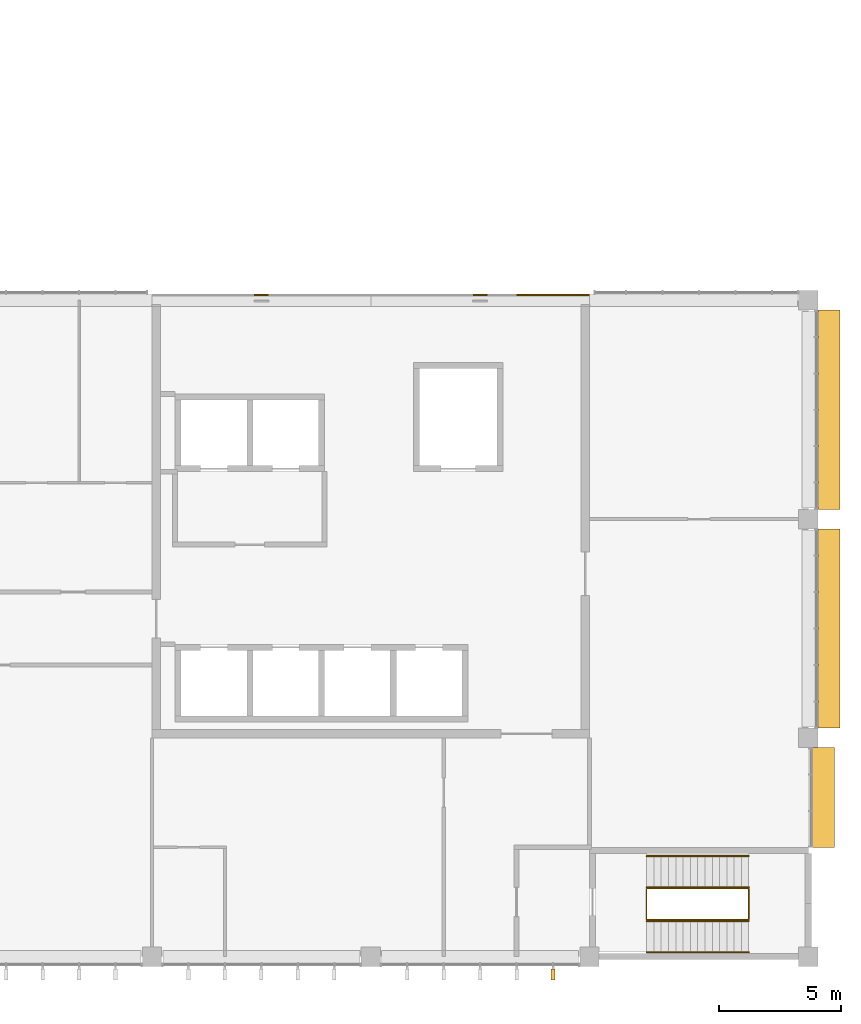
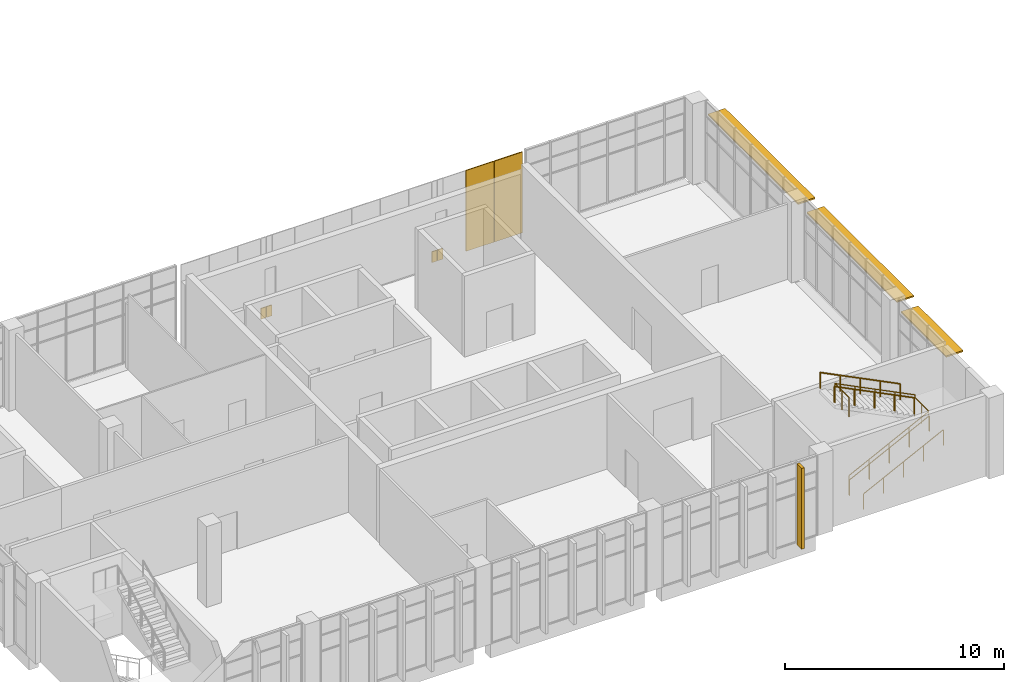
# One storey, part 40 of 40: 6 coverings, 5 railings, 4 shading devices.
"""IFC4 building model written with IfcOpenShell, lengths in metres."""

from ifc_helpers import new_model, si_unit, direction, frame, origin, origin_2d, place, context, subcontext, project, spatial, rectangle, circle, extrude, material, layer, layer_set, type_object, element, save


model = new_model("IFC4")

# Units and contexts
model_context = context("Model", 3, precision=1e-05, world=origin(), true_north=direction((0.0, 1.0)))
body_context = subcontext(model_context, "Body", "Model", "MODEL_VIEW")
ifc_project = project(units=[si_unit("LENGTHUNIT", "METRE"), si_unit("AREAUNIT", "SQUARE_METRE"), si_unit("VOLUMEUNIT", "CUBIC_METRE"), si_unit("PLANEANGLEUNIT", "RADIAN"), si_unit("MASSUNIT", "GRAM", prefix="KILO")], contexts=[model_context])

# Site, building, storey
site_placement = place(None, origin())
site = spatial("IfcSite", under=ifc_project, at=site_placement, CompositionType="ELEMENT")
building_placement = place(site_placement, origin())
building = spatial("IfcBuilding", under=site, at=building_placement, Name="Guidao Yard Department Store", CompositionType="ELEMENT")
storey_placement = place(building_placement, frame((0.0, 0.0, 24.0)))
storey = spatial("IfcBuildingStorey", under=building, at=storey_placement, Name="L05", CompositionType="ELEMENT", Elevation=24.0)

# Coverings
ifc_material_1 = material(Name="Anodised aluminium 6063-T5 cladding", Category="aluminium")
ifc_layer_1 = layer(ifc_material_1, 0.050048828125)
ifc_layer_set_1 = layer_set([ifc_layer_1], Name="Facade cladding CP1 anodised aluminium panel 6063")
covering_type = type_object("IfcCoveringType", Name="Facade cladding CP1 anodised aluminium panel 6063", PredefinedType="CLADDING", material=ifc_layer_set_1)
for number, where, z_axis, x_axis, name in (
    (1, (148.35009765625, 27.22509765625, 0.0), (0.0, 0.0, 1.0), (1.0, 0.0, 0.0), "Core face cladding"),
    (2, (148.64990234375, 27.22509765625, 0.0), (0.0, 0.0, 1.0), (1.0, 0.0, 0.0), "Core face cladding"),
    (3, (157.35009765625, 27.22509765625, 0.0), (0.0, 0.0, 1.0), (1.0, 0.0, 0.0), "Core face cladding"),
    (4, (157.64990234375, 27.22509765625, 0.0), (0.0, 0.0, 1.0), (1.0, 0.0, 0.0), "Core face cladding"),
):
    element("IfcCovering", number, at=place(storey_placement, frame(where, z_axis=z_axis, x_axis=x_axis)), inside=storey, type_object=covering_type, Name=name, PredefinedType="CLADDING", context=body_context, shape_type="SweptSolid", body=[
        extrude(rectangle(XDim=0.280029296875, YDim=0.050048828125, at=origin_2d()), origin(), (0.0, 0.0, 1.0), 0.60009765625),
    ])
for number, where, z_axis, x_axis, name in (
    (5, (159.75, 27.22509765625, 0.0), (0.0, 0.0, 1.0), (1.0, 0.0, 0.0), "Core face cladding"),
    (6, (161.25, 27.22509765625, 0.0), (0.0, 0.0, 1.0), (1.0, 0.0, 0.0), "Core face cladding"),
):
    element("IfcCovering", number, at=place(storey_placement, frame(where, z_axis=z_axis, x_axis=x_axis)), inside=storey, type_object=covering_type, Name=name, PredefinedType="CLADDING", context=body_context, shape_type="SweptSolid", body=[
        extrude(rectangle(XDim=1.47998046875, YDim=0.050048828125, at=origin_2d()), origin(), (0.0, 0.0, 1.0), 4.5),
    ])

# Railings
ifc_material_2 = material(Name="Steel Q235", Category="steel")
railing_type_1 = type_object("IfcRailingType", Name="Guard steel balustrade 1100", PredefinedType="GUARDRAIL", material=ifc_material_2)
railing_placement = place(storey_placement, frame((164.35009765625, 1.52490234375, 0.14990234375)))
element("IfcRailing", 7, at=railing_placement, inside=storey, type_object=railing_type_1, Name="Stair O2 guard L05 9", PredefinedType="GUARDRAIL", context=body_context, shape_type="SweptSolid", body=[
    extrude(circle(Radius=0.02392578125, at=origin_2d()), frame((0.0, 0.0, 1.076171875), z_axis=(0.894416792377, 0.0, 0.447234392142), x_axis=(0.0, 1.0, 0.0)), (0.0, 0.0, 1.0), 4.69580078125),
    extrude(circle(Radius=0.02392578125, at=origin_2d()), frame((4.199951171875, 0.0, 3.17626953125), z_axis=(0.0, 1.0, 0.0), x_axis=(-1.0, 0.0, 0.0)), (0.0, 0.0, 1.0), 1.275146484375),
    extrude(circle(Radius=0.02392578125, at=origin_2d()), frame((4.199951171875, 1.275146484375, 3.17626953125), z_axis=(0.0, 0.0, 1.0), x_axis=(1.0, 0.0, 0.0)), (0.0, 0.0, 1.0), 0.14990234375),
    extrude(circle(Radius=0.02392578125, at=origin_2d()), frame((4.199951171875, 1.275146484375, 3.326171875), z_axis=(-0.894416792377, 0.0, 0.447234392142), x_axis=(0.0, -1.0, 0.0)), (0.0, 0.0, 1.0), 4.69580078125),
    extrude(circle(Radius=0.02392578125, at=origin_2d()), frame((0.0, 1.275146484375, 5.42626953125), z_axis=(0.0, -1.0, 0.0), x_axis=(1.0, 0.0, 0.0)), (0.0, 0.0, 1.0), 1.275146484375),
    extrude(circle(Radius=0.02099609375, at=origin_2d()), origin(), (0.0, 0.0, 1.0), 1.052001953125),
    extrude(circle(Radius=0.02099609375, at=origin_2d()), frame((1.050048828125, 0.0, 0.52490234375)), (0.0, 0.0, 1.0), 1.052001953125),
    extrude(circle(Radius=0.02099609375, at=origin_2d()), frame((2.10009765625, 0.0, 1.050048828125)), (0.0, 0.0, 1.0), 1.052001953125),
    extrude(circle(Radius=0.02099609375, at=origin_2d()), frame((3.14990234375, 0.0, 1.5751953125)), (0.0, 0.0, 1.0), 1.052001953125),
    extrude(circle(Radius=0.02099609375, at=origin_2d()), frame((4.199951171875, 0.0, 2.10009765625)), (0.0, 0.0, 1.0), 1.052001953125),
    extrude(circle(Radius=0.02099609375, at=origin_2d()), frame((4.199951171875, 0.6376953125, 2.10009765625)), (0.0, 0.0, 1.0), 1.052001953125),
    extrude(circle(Radius=0.02099609375, at=origin_2d()), frame((4.199951171875, 1.275146484375, 2.10009765625)), (0.0, 0.0, 1.0), 1.052001953125),
    extrude(circle(Radius=0.02099609375, at=origin_2d()), frame((4.199951171875, 1.275146484375, 2.25)), (0.0, 0.0, 1.0), 1.052001953125),
    extrude(circle(Radius=0.02099609375, at=origin_2d()), frame((3.14990234375, 1.275146484375, 2.77490234375)), (0.0, 0.0, 1.0), 1.052001953125),
    extrude(circle(Radius=0.02099609375, at=origin_2d()), frame((2.10009765625, 1.275146484375, 3.300048828125)), (0.0, 0.0, 1.0), 1.052001953125),
    extrude(circle(Radius=0.02099609375, at=origin_2d()), frame((1.050048828125, 1.275146484375, 3.8251953125)), (0.0, 0.0, 1.0), 1.052001953125),
    extrude(circle(Radius=0.02099609375, at=origin_2d()), frame((0.0, 1.275146484375, 4.35009765625)), (0.0, 0.0, 1.0), 1.052001953125),
    extrude(circle(Radius=0.02099609375, at=origin_2d()), frame((0.0, 0.6376953125, 4.35009765625)), (0.0, 0.0, 1.0), 1.052001953125),
    extrude(circle(Radius=0.02099609375, at=origin_2d()), frame((0.0, 0.0, 4.35009765625)), (0.0, 0.0, 1.0), 1.052001953125),
])
ifc_material_3 = material(Name="Steel Q235", Category="steel")
railing_type_2 = type_object("IfcRailingType", Name="Handrail steel tube 48", PredefinedType="HANDRAIL", material=ifc_material_3)
for number, where, name in (
    (8, (164.35009765625, 0.18505859375, 0.14990234375), "Stair O2 hand rail L05 13"),
    (9, (164.35009765625, 1.465087890625, 0.14990234375), "Stair O2 hand rail L05 14"),
):
    element("IfcRailing", number, at=place(storey_placement, frame(where)), inside=storey, type_object=railing_type_2, Name=name, PredefinedType="HANDRAIL", context=body_context, shape_type="SweptSolid", body=[
        extrude(circle(Radius=0.02392578125, at=origin_2d()), frame((0.0, 0.0, 0.8759765625), z_axis=(0.894416792377, 0.0, 0.447234392142), x_axis=(0.0, 1.0, 0.0)), (0.0, 0.0, 1.0), 4.69580078125),
        extrude(circle(Radius=0.02099609375, at=origin_2d()), origin(), (0.0, 0.0, 1.0), 0.851806640625),
        extrude(circle(Radius=0.02099609375, at=origin_2d()), frame((1.050048828125, 0.0, 0.52490234375)), (0.0, 0.0, 1.0), 0.851806640625),
        extrude(circle(Radius=0.02099609375, at=origin_2d()), frame((2.10009765625, 0.0, 1.050048828125)), (0.0, 0.0, 1.0), 0.851806640625),
        extrude(circle(Radius=0.02099609375, at=origin_2d()), frame((3.14990234375, 0.0, 1.5751953125)), (0.0, 0.0, 1.0), 0.851806640625),
        extrude(circle(Radius=0.02099609375, at=origin_2d()), frame((4.199951171875, 0.0, 2.10009765625)), (0.0, 0.0, 1.0), 0.851806640625),
    ])
for number, where, name in (
    (10, (168.550048828125, 2.860107421875, 2.39990234375), "Stair O2 hand rail L05 15"),
    (11, (168.550048828125, 4.139892578125, 2.39990234375), "Stair O2 hand rail L05 16"),
):
    element("IfcRailing", number, at=place(storey_placement, frame(where)), inside=storey, type_object=railing_type_2, Name=name, PredefinedType="HANDRAIL", context=body_context, shape_type="SweptSolid", body=[
        extrude(circle(Radius=0.02392578125, at=origin_2d()), frame((0.0, 0.0, 0.8759765625), z_axis=(-0.894416792377, 0.0, 0.447234392142), x_axis=(0.0, -1.0, 0.0)), (0.0, 0.0, 1.0), 4.69580078125),
        extrude(circle(Radius=0.02099609375, at=origin_2d()), origin(), (0.0, 0.0, 1.0), 0.851806640625),
        extrude(circle(Radius=0.02099609375, at=origin_2d()), frame((-1.050048828125, 0.0, 0.52490234375)), (0.0, 0.0, 1.0), 0.851806640625),
        extrude(circle(Radius=0.02099609375, at=origin_2d()), frame((-2.10009765625, 0.0, 1.050048828125)), (0.0, 0.0, 1.0), 0.851806640625),
        extrude(circle(Radius=0.02099609375, at=origin_2d()), frame((-3.14990234375, 0.0, 1.5751953125)), (0.0, 0.0, 1.0), 0.851806640625),
        extrude(circle(Radius=0.02099609375, at=origin_2d()), frame((-4.199951171875, 0.0, 2.10009765625)), (0.0, 0.0, 1.0), 0.851806640625),
    ])

# Shading devices
ifc_material_4 = material(Name="Aluminium 6063-T5", Category="aluminium")
ifc_layer_2 = layer(ifc_material_4, 0.080078125)
ifc_layer_set_2 = layer_set([ifc_layer_2], Name="Sunshade blade SB1 aluminium")
shading_device_type_1 = type_object("IfcShadingDeviceType", Name="Sunshade blade SB1 aluminium", PredefinedType="SHUTTER", material=ifc_layer_set_2)
shading_device_1_placement = place(storey_placement, frame((171.6298828125, 6.550048828125, 3.599853515625), z_axis=(0.0, 0.0, 1.0), x_axis=(0.0, -1.0, 0.0)))
element("IfcShadingDevice", 12, at=shading_device_1_placement, inside=storey, type_object=shading_device_type_1, Name="Sunshade blade", PredefinedType="SHUTTER", context=body_context, shape_type="SweptSolid", body=[
    extrude(rectangle(XDim=4.10009765625, YDim=0.89990234375, at=origin_2d()), origin(), (0.0, 0.0, 1.0), 0.080078125),
])
for number, where, z_axis, x_axis, name in (
    (13, (171.860107421875, 13.5, 3.599853515625), (0.0, 0.0, 1.0), (0.0, -1.0, 0.0), "Sunshade blade"),
    (14, (171.860107421875, 22.5, 3.599853515625), (0.0, 0.0, 1.0), (0.0, -1.0, 0.0), "Sunshade blade"),
):
    element("IfcShadingDevice", number, at=place(storey_placement, frame(where, z_axis=z_axis, x_axis=x_axis)), inside=storey, type_object=shading_device_type_1, Name=name, PredefinedType="SHUTTER", context=body_context, shape_type="SweptSolid", body=[
        extrude(rectangle(XDim=8.199951171875, YDim=0.89990234375, at=origin_2d()), origin(), (0.0, 0.0, 1.0), 0.080078125),
    ])
ifc_material_5 = material(Name="Aluminium 6063-T5", Category="aluminium")
shading_device_type_2 = type_object("IfcShadingDeviceType", Name="Vertical fin FN2 aluminium 150 x 450", PredefinedType="SHUTTER", material=ifc_material_5)
shading_device_2_placement = place(storey_placement, frame((160.5, -0.735107421875, 0.0), z_axis=(0.0, 0.0, 1.0), x_axis=(-1.0, 0.0, 0.0)))
element("IfcShadingDevice", 15, at=shading_device_2_placement, inside=storey, type_object=shading_device_type_2, Name="Vertical fin", PredefinedType="SHUTTER", context=body_context, shape_type="SweptSolid", body=[
    extrude(rectangle(XDim=0.14990234375, YDim=0.449951171875, at=origin_2d()), origin(), (0.0, 0.0, 1.0), 4.5),
])

save(model, "model.ifc")
